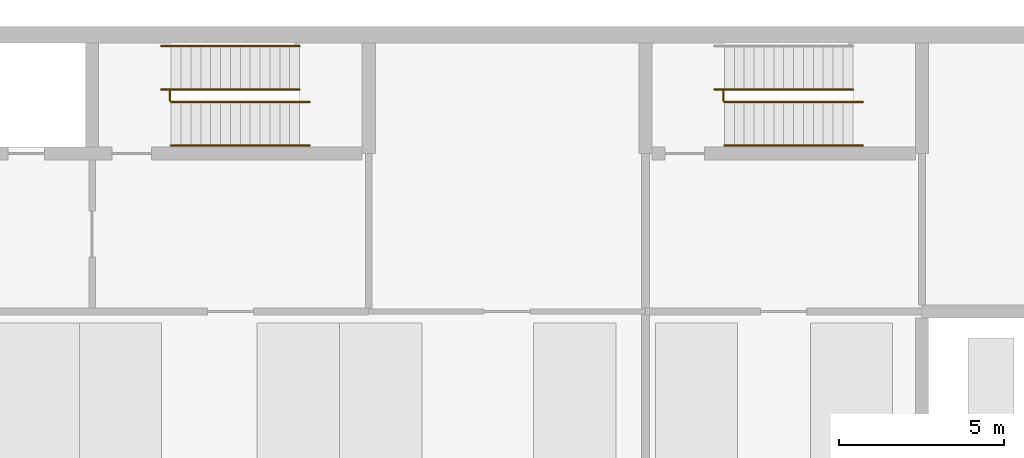
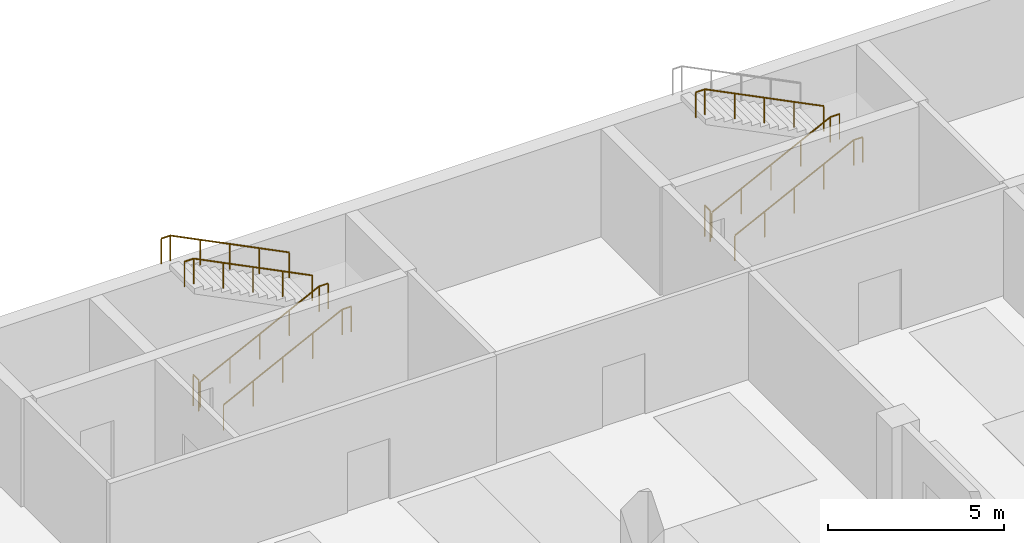
# One storey, part 8 of 14: 9 railings.
"""IFC4 building model written with IfcOpenShell, lengths in metres."""

from ifc_helpers import new_model, si_unit, direction, frame, origin, origin_2d, place, context, subcontext, project, spatial, circle, extrude, material, type_object, element, save


model = new_model("IFC4")

# Units and contexts
model_context = context("Model", 3, precision=1e-05, world=origin(), true_north=direction((0.0, 1.0)))
body_context = subcontext(model_context, "Body", "Model", "MODEL_VIEW")
ifc_project = project(units=[si_unit("LENGTHUNIT", "METRE"), si_unit("AREAUNIT", "SQUARE_METRE"), si_unit("VOLUMEUNIT", "CUBIC_METRE"), si_unit("PLANEANGLEUNIT", "RADIAN"), si_unit("MASSUNIT", "GRAM", prefix="KILO")], contexts=[model_context])

# Site, building, storey
site_placement = place(None, origin())
site = spatial("IfcSite", under=ifc_project, at=site_placement, CompositionType="ELEMENT")
building_placement = place(site_placement, origin())
building = spatial("IfcBuilding", under=site, at=building_placement, Name="Yavir Park General Hospital", CompositionType="ELEMENT")
storey_placement = place(building_placement, frame((0.0, 0.0, -4.199951171875)))
storey = spatial("IfcBuildingStorey", under=building, at=storey_placement, Name="B1", CompositionType="ELEMENT", Elevation=-4.199951171875)

# Railings
ifc_material_1 = material(Name="Steel balustrade with infill rods", Category="steel")
railing_type_1 = type_object("IfcRailingType", Name="Stair guard, steel balustrade 1100 mm", PredefinedType="GUARDRAIL", material=ifc_material_1)
for number, where, name in (
    (1, (52.77001953125, 31.60009765625, 0.0), "Stair well guard BS2 B1"),
    (2, (69.570068359375, 31.60009765625, 0.0), "Stair well guard BS3 B1"),
):
    element("IfcRailing", number, at=place(storey_placement, frame(where)), inside=storey, type_object=railing_type_1, Name=name, PredefinedType="GUARDRAIL", context=body_context, shape_type="SweptSolid", body=[
        extrude(circle(Radius=0.02392578125, at=origin_2d()), frame((0.0, 0.0, 1.076171875), z_axis=(0.0, 1.0, 0.0), x_axis=(-1.0, 0.0, 0.0)), (0.0, 0.0, 1.0), 0.2998046875),
        extrude(circle(Radius=0.02099609375, at=origin_2d()), origin(), (0.0, 0.0, 1.0), 1.052001953125),
        extrude(circle(Radius=0.02099609375, at=origin_2d()), frame((0.0, 0.2998046875, 0.0)), (0.0, 0.0, 1.0), 1.052001953125),
    ])
ifc_material_2 = material(Name="Stainless steel tube 48 mm", Category="steel")
railing_type_2 = type_object("IfcRailingType", Name="Stair handrail, steel tube, 900 mm above the nosings", PredefinedType="HANDRAIL", material=ifc_material_2)
for number, where, name in (
    (3, (52.800048828125, 30.239990234375, 0.14990234375), "Handrail BS2 B1 1"),
    (4, (52.800048828125, 31.56005859375, 0.14990234375), "Handrail BS2 B1 2"),
):
    element("IfcRailing", number, at=place(storey_placement, frame(where)), inside=storey, type_object=railing_type_2, Name=name, PredefinedType="HANDRAIL", context=body_context, shape_type="SweptSolid", body=[
        extrude(circle(Radius=0.02392578125, at=origin_2d()), frame((0.0, 0.0, 0.8759765625), z_axis=(0.894427191, 0.0, 0.4472135955), x_axis=(0.0, 1.0, 0.0)), (0.0, 0.0, 1.0), 4.360107421875),
        extrude(circle(Radius=0.02392578125, at=origin_2d()), frame((3.89990234375, 0.0, 2.82568359375), z_axis=(1.0, 0.0, 0.0), x_axis=(0.0, 1.0, 0.0)), (0.0, 0.0, 1.0), 0.300048828125),
        extrude(circle(Radius=0.02099609375, at=origin_2d()), origin(), (0.0, 0.0, 1.0), 0.851806640625),
        extrude(circle(Radius=0.02099609375, at=origin_2d()), frame((0.97509765625, 0.0, 0.487548828125)), (0.0, 0.0, 1.0), 0.851806640625),
        extrude(circle(Radius=0.02099609375, at=origin_2d()), frame((1.949951171875, 0.0, 0.97509765625)), (0.0, 0.0, 1.0), 0.851806640625),
        extrude(circle(Radius=0.02099609375, at=origin_2d()), frame((2.9248046875, 0.0, 1.46240234375)), (0.0, 0.0, 1.0), 0.851806640625),
        extrude(circle(Radius=0.02099609375, at=origin_2d()), frame((3.89990234375, 0.0, 1.949951171875)), (0.0, 0.0, 1.0), 0.851806640625),
        extrude(circle(Radius=0.02099609375, at=origin_2d()), frame((4.199951171875, 0.0, 1.949951171875)), (0.0, 0.0, 1.0), 0.851806640625),
    ])
for number, where, name in (
    (5, (56.699951171875, 33.260009765625, 2.25), "Handrail BS2 B1 3"),
    (6, (56.699951171875, 31.93994140625, 2.25), "Handrail BS2 B1 4"),
):
    element("IfcRailing", number, at=place(storey_placement, frame(where)), inside=storey, type_object=railing_type_2, Name=name, PredefinedType="HANDRAIL", context=body_context, shape_type="SweptSolid", body=[
        extrude(circle(Radius=0.02392578125, at=origin_2d()), frame((0.0, 0.0, 0.8759765625), z_axis=(-0.894427191, 0.0, 0.4472135955), x_axis=(0.0, -1.0, 0.0)), (0.0, 0.0, 1.0), 4.360107421875),
        extrude(circle(Radius=0.02392578125, at=origin_2d()), frame((-3.89990234375, 0.0, 2.82568359375), z_axis=(-1.0, 0.0, 0.0), x_axis=(0.0, -1.0, 0.0)), (0.0, 0.0, 1.0), 0.300048828125),
        extrude(circle(Radius=0.02099609375, at=origin_2d()), origin(), (0.0, 0.0, 1.0), 0.851806640625),
        extrude(circle(Radius=0.02099609375, at=origin_2d()), frame((-0.97509765625, 0.0, 0.487548828125)), (0.0, 0.0, 1.0), 0.851806640625),
        extrude(circle(Radius=0.02099609375, at=origin_2d()), frame((-1.949951171875, 0.0, 0.97509765625)), (0.0, 0.0, 1.0), 0.851806640625),
        extrude(circle(Radius=0.02099609375, at=origin_2d()), frame((-2.9248046875, 0.0, 1.46240234375)), (0.0, 0.0, 1.0), 0.851806640625),
        extrude(circle(Radius=0.02099609375, at=origin_2d()), frame((-3.89990234375, 0.0, 1.949951171875)), (0.0, 0.0, 1.0), 0.851806640625),
        extrude(circle(Radius=0.02099609375, at=origin_2d()), frame((-4.199951171875, 0.0, 1.949951171875)), (0.0, 0.0, 1.0), 0.851806640625),
    ])
for number, where, name in (
    (7, (69.60009765625, 30.239990234375, 0.14990234375), "Handrail BS3 B1 1"),
    (8, (69.60009765625, 31.56005859375, 0.14990234375), "Handrail BS3 B1 2"),
):
    element("IfcRailing", number, at=place(storey_placement, frame(where)), inside=storey, type_object=railing_type_2, Name=name, PredefinedType="HANDRAIL", context=body_context, shape_type="SweptSolid", body=[
        extrude(circle(Radius=0.02392578125, at=origin_2d()), frame((0.0, 0.0, 0.8759765625), z_axis=(0.894427191, 0.0, 0.4472135955), x_axis=(0.0, 1.0, 0.0)), (0.0, 0.0, 1.0), 4.360107421875),
        extrude(circle(Radius=0.02392578125, at=origin_2d()), frame((3.89990234375, 0.0, 2.82568359375), z_axis=(1.0, 0.0, 0.0), x_axis=(0.0, 1.0, 0.0)), (0.0, 0.0, 1.0), 0.300048828125),
        extrude(circle(Radius=0.02099609375, at=origin_2d()), origin(), (0.0, 0.0, 1.0), 0.851806640625),
        extrude(circle(Radius=0.02099609375, at=origin_2d()), frame((0.97509765625, 0.0, 0.487548828125)), (0.0, 0.0, 1.0), 0.851806640625),
        extrude(circle(Radius=0.02099609375, at=origin_2d()), frame((1.949951171875, 0.0, 0.97509765625)), (0.0, 0.0, 1.0), 0.851806640625),
        extrude(circle(Radius=0.02099609375, at=origin_2d()), frame((2.9248046875, 0.0, 1.46240234375)), (0.0, 0.0, 1.0), 0.851806640625),
        extrude(circle(Radius=0.02099609375, at=origin_2d()), frame((3.89990234375, 0.0, 1.949951171875)), (0.0, 0.0, 1.0), 0.851806640625),
        extrude(circle(Radius=0.02099609375, at=origin_2d()), frame((4.199951171875, 0.0, 1.949951171875)), (0.0, 0.0, 1.0), 0.851806640625),
    ])
railing_placement = place(storey_placement, frame((73.5, 31.93994140625, 2.25)))
element("IfcRailing", 9, at=railing_placement, inside=storey, type_object=railing_type_2, Name="Handrail BS3 B1 4", PredefinedType="HANDRAIL", context=body_context, shape_type="SweptSolid", body=[
    extrude(circle(Radius=0.02392578125, at=origin_2d()), frame((0.0, 0.0, 0.8759765625), z_axis=(-0.894427191, 0.0, 0.4472135955), x_axis=(0.0, -1.0, 0.0)), (0.0, 0.0, 1.0), 4.360107421875),
    extrude(circle(Radius=0.02392578125, at=origin_2d()), frame((-3.89990234375, 0.0, 2.82568359375), z_axis=(-1.0, 0.0, 0.0), x_axis=(0.0, -1.0, 0.0)), (0.0, 0.0, 1.0), 0.300048828125),
    extrude(circle(Radius=0.02099609375, at=origin_2d()), origin(), (0.0, 0.0, 1.0), 0.851806640625),
    extrude(circle(Radius=0.02099609375, at=origin_2d()), frame((-0.97509765625, 0.0, 0.487548828125)), (0.0, 0.0, 1.0), 0.851806640625),
    extrude(circle(Radius=0.02099609375, at=origin_2d()), frame((-1.949951171875, 0.0, 0.97509765625)), (0.0, 0.0, 1.0), 0.851806640625),
    extrude(circle(Radius=0.02099609375, at=origin_2d()), frame((-2.9248046875, 0.0, 1.46240234375)), (0.0, 0.0, 1.0), 0.851806640625),
    extrude(circle(Radius=0.02099609375, at=origin_2d()), frame((-3.89990234375, 0.0, 1.949951171875)), (0.0, 0.0, 1.0), 0.851806640625),
    extrude(circle(Radius=0.02099609375, at=origin_2d()), frame((-4.199951171875, 0.0, 1.949951171875)), (0.0, 0.0, 1.0), 0.851806640625),
])

save(model, "model.ifc")
